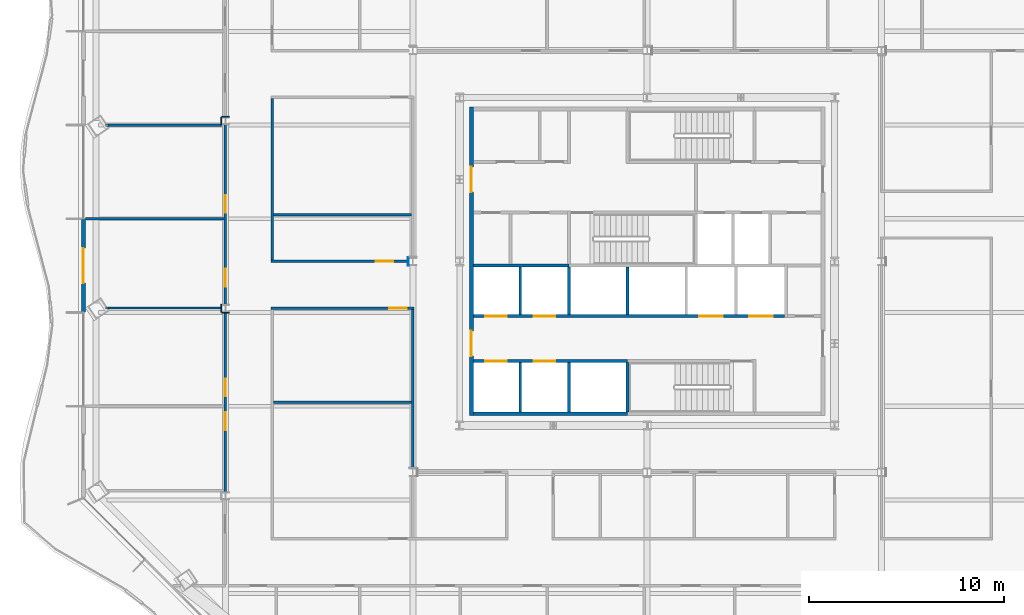
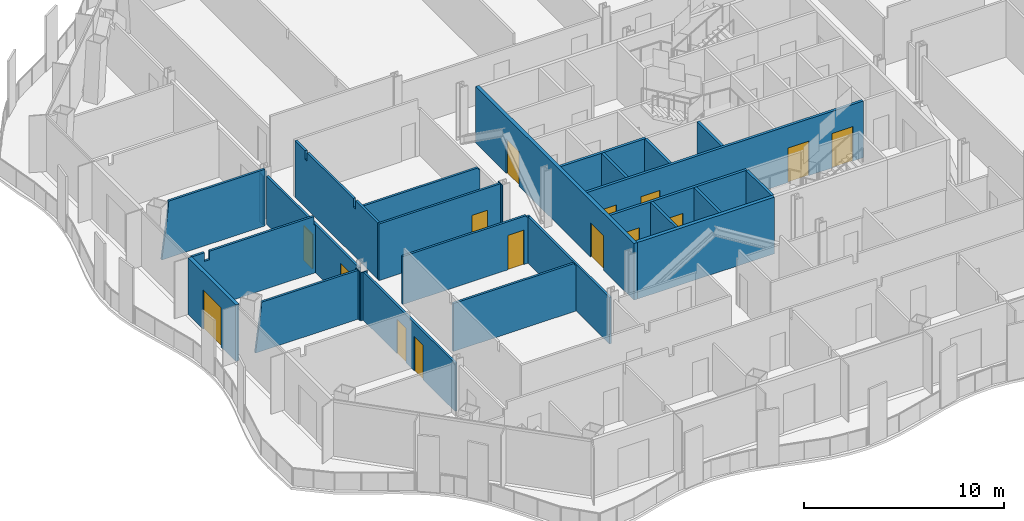
# One storey, part 9 of 22: 28 walls, 15 doors, 15 openings.
"""IFC4 building model written with IfcOpenShell, lengths in metres."""

from ifc_helpers import new_model, si_unit, direction, frame, frame_2d, origin, place, context, subcontext, project, spatial, polyline, rectangle, outline, extrude, material, layer, layer_set, type_object, element, fill, save


model = new_model("IFC4")

# Units and contexts
model_context = context("Model", 3, precision=1e-05, world=origin(), true_north=direction((0.0, 1.0)))
body_context = subcontext(model_context, "Body", "Model", "MODEL_VIEW")
ifc_project = project(units=[si_unit("LENGTHUNIT", "METRE"), si_unit("AREAUNIT", "SQUARE_METRE"), si_unit("VOLUMEUNIT", "CUBIC_METRE"), si_unit("PLANEANGLEUNIT", "RADIAN"), si_unit("MASSUNIT", "GRAM", prefix="KILO")], contexts=[model_context])

# Site, building, storey
site_placement = place(None, origin())
site = spatial("IfcSite", under=ifc_project, at=site_placement, CompositionType="ELEMENT")
building_placement = place(site_placement, origin())
building = spatial("IfcBuilding", under=site, at=building_placement, Name="Cairn Pilgrim Tower", CompositionType="ELEMENT")
storey_placement = place(building_placement, frame((0.0, 0.0, 112.199951171875)))
storey = spatial("IfcBuildingStorey", under=building, at=storey_placement, Name="L27", CompositionType="ELEMENT", Elevation=112.199951171875)

# Wall, opening, door
ifc_material_1 = material(Name="Bronze anodised aluminium insulated sandwich panel with mineral wool fill", Category="aluminium")
ifc_layer_1 = layer(ifc_material_1, 0.199951171875)
ifc_layer_set_1 = layer_set([ifc_layer_1], Name="BRONZE INFILL FRAME WALL 200")
wall_type_1 = type_object("IfcWallType", Name="BRONZE INFILL FRAME WALL 200", PredefinedType="NOTDEFINED", material=ifc_layer_set_1)
wall_1_placement = place(storey_placement, frame((-21.67041015625, 4.556396484375, 0.0), z_axis=(0.0, 0.0, 1.0), x_axis=(0.0, -1.0, 0.0)))
wall_1 = element("IfcWall", 1, at=wall_1_placement, inside=storey, type_object=wall_type_1, Name="Bronze infill frame wall IW-W4", PredefinedType="NOTDEFINED", context=body_context, shape_type="SweptSolid", body=[
    extrude(rectangle(XDim=4.739990234375, YDim=0.199951171875, at=frame_2d((2.3701171875, 0.0))), origin(), (0.0, 0.0, 1.0), 3.449951171875),
])
opening_1_placement = place(wall_1_placement, frame((1.470458984375, 0.0, 0.0)))
opening_1 = element("IfcOpeningElement", 2, at=opening_1_placement, cuts=wall_1, Name="Opening 2712B", PredefinedType="OPENING", context=body_context, shape_type="SweptSolid", body=[
    extrude(rectangle(XDim=1.800048828125, YDim=2.39990234375, at=frame_2d((0.89990234375, 1.199951171875))), frame((0.0, 0.10986328125, 0.0), z_axis=(0.0, -1.0, 0.0), x_axis=(1.0, 0.0, 0.0)), (0.0, 0.0, 1.0), 0.219970703125),
])
ifc_material_2 = material(Name="Bronze anodised aluminium frame with tinted low-E glass", Category="aluminium")
door_type_1 = type_object("IfcDoorType", Name="BALCONY SLIDING DOOR 1800x2400", OperationType="DOUBLE_DOOR_SLIDING", PredefinedType="DOOR", material=ifc_material_2)
door_1_placement = place(opening_1_placement, origin())
door_1 = element("IfcDoor", 3, at=door_1_placement, inside=storey, type_object=door_type_1, Name="Balcony sliding door 2712B", OperationType="SINGLE_SWING_LEFT", OverallHeight=2.39990234375, OverallWidth=1.800048828125, PredefinedType="DOOR", context=body_context, shape_type="SweptSolid", body=[
    extrude(rectangle(XDim=1.800048828125, YDim=2.39990234375, at=frame_2d((0.89990234375, 1.199951171875))), frame((0.0, 0.02490234375, 0.0), z_axis=(0.0, -1.0, 0.0), x_axis=(1.0, 0.0, 0.0)), (0.0, 0.0, 1.0), 0.050048828125),
])
fill(opening_1, door_1)

# Wall
ifc_material_3 = material(Name="Concrete C32/40", Category="concrete")
ifc_layer_2 = layer(ifc_material_3, 0.199951171875)
ifc_layer_set_2 = layer_set([ifc_layer_2], Name="CORE OUTER WALL 200 EI 120")
wall_type_2 = type_object("IfcWallType", Name="CORE OUTER WALL 200 EI 120", PredefinedType="SOLIDWALL", material=ifc_layer_set_2)
wall_2_placement = place(storey_placement, frame((-1.699951171875, -5.39990234375, 0.0), z_axis=(0.0, 0.0, 1.0), x_axis=(1.0, 0.0, 0.0)))
element("IfcWall", 4, at=wall_2_placement, inside=storey, type_object=wall_type_2, Name="CW:L27:H01-1", PredefinedType="SOLIDWALL", context=body_context, shape_type="SweptSolid", body=[
    extrude(rectangle(XDim=7.89990234375, YDim=0.199951171875, at=frame_2d((3.949951171875, 0.0))), origin(), (0.0, 0.0, 1.0), 3.449951171875),
])

# Wall, openings, doors
wall_3_placement = place(storey_placement, frame((-1.800048828125, -5.5, 0.0), z_axis=(0.0, 0.0, 1.0), x_axis=(0.0, 1.0, 0.0)))
wall_3 = element("IfcWall", 5, at=wall_3_placement, inside=storey, type_object=wall_type_2, Name="CW:L27:V12", PredefinedType="SOLIDWALL", context=body_context, shape_type="SweptSolid", body=[
    extrude(rectangle(XDim=15.800048828125, YDim=0.199951171875, at=frame_2d((7.89990234375, 0.0))), origin(), (0.0, 0.0, 1.0), 3.449951171875),
])
opening_2_placement = place(wall_3_placement, frame((3.050048828125, 0.0, 0.0)))
opening_2 = element("IfcOpeningElement", 6, at=opening_2_placement, cuts=wall_3, Name="Opening CD-W1", PredefinedType="OPENING", context=body_context, shape_type="SweptSolid", body=[
    extrude(rectangle(XDim=1.300048828125, YDim=2.10009765625, at=frame_2d((0.64990234375, 1.050048828125))), frame((0.0, 0.10986328125, 0.0), z_axis=(0.0, -1.0, 0.0), x_axis=(1.0, 0.0, 0.0)), (0.0, 0.0, 1.0), 0.219970703125),
])
opening_3_placement = place(wall_3_placement, frame((11.449951171875, 0.0, 0.0)))
opening_3 = element("IfcOpeningElement", 7, at=opening_3_placement, cuts=wall_3, Name="Opening CD-W2", PredefinedType="OPENING", context=body_context, shape_type="SweptSolid", body=[
    extrude(rectangle(XDim=1.300048828125, YDim=2.10009765625, at=frame_2d((0.64990234375, 1.050048828125))), frame((0.0, 0.10986328125, 0.0), z_axis=(0.0, -1.0, 0.0), x_axis=(1.0, 0.0, 0.0)), (0.0, 0.0, 1.0), 0.219970703125),
])
ifc_material_4 = material(Name="Painted steel", Category="steel")
door_type_2 = type_object("IfcDoorType", Name="CORE LOBBY DOOR 1300x2100", OperationType="DOUBLE_DOOR_SINGLE_SWING", PredefinedType="DOOR", material=ifc_material_4)
door_2_placement = place(opening_2_placement, origin())
door_2 = element("IfcDoor", 8, at=door_2_placement, inside=storey, type_object=door_type_2, Name="CD-W1", OperationType="DOUBLE_DOOR_SINGLE_SWING", OverallHeight=2.10009765625, OverallWidth=1.300048828125, PredefinedType="DOOR", context=body_context, shape_type="SweptSolid", body=[
    extrude(rectangle(XDim=1.300048828125, YDim=2.10009765625, at=frame_2d((0.64990234375, 1.050048828125))), frame((0.0, 0.02490234375, 0.0), z_axis=(0.0, -1.0, 0.0), x_axis=(1.0, 0.0, 0.0)), (0.0, 0.0, 1.0), 0.050048828125),
])
fill(opening_2, door_2)
door_3_placement = place(opening_3_placement, origin())
door_3 = element("IfcDoor", 9, at=door_3_placement, inside=storey, type_object=door_type_2, Name="CD-W2", OperationType="DOUBLE_DOOR_SINGLE_SWING", OverallHeight=2.10009765625, OverallWidth=1.300048828125, PredefinedType="DOOR", context=body_context, shape_type="SweptSolid", body=[
    extrude(rectangle(XDim=1.300048828125, YDim=2.10009765625, at=frame_2d((0.64990234375, 1.050048828125))), frame((0.0, 0.02490234375, 0.0), z_axis=(0.0, -1.0, 0.0), x_axis=(1.0, 0.0, 0.0)), (0.0, 0.0, 1.0), 0.050048828125),
])
fill(opening_3, door_3)

ifc_layer_3 = layer(ifc_material_3, 0.14990234375)
ifc_layer_set_3 = layer_set([ifc_layer_3], Name="CORE SHAFT WALL 150 EI 120")
wall_type_3 = type_object("IfcWallType", Name="CORE SHAFT WALL 150 EI 120", PredefinedType="SOLIDWALL", material=ifc_layer_set_3)
wall_4_placement = place(storey_placement, frame((-1.699951171875, -2.699951171875, 0.0), z_axis=(0.0, 0.0, 1.0), x_axis=(1.0, 0.0, 0.0)))
wall_4 = element("IfcWall", 10, at=wall_4_placement, inside=storey, type_object=wall_type_3, Name="CW:L27:H02-1", PredefinedType="SOLIDWALL", context=body_context, shape_type="SweptSolid", body=[
    extrude(rectangle(XDim=7.89990234375, YDim=0.14990234375, at=frame_2d((3.949951171875, 0.0))), origin(), (0.0, 0.0, 1.0), 3.449951171875),
])
opening_4_placement = place(wall_4_placement, frame((0.60009765625, 0.0, 0.0)))
opening_4 = element("IfcOpeningElement", 11, at=opening_4_placement, cuts=wall_4, Name="Opening LD-LR1", PredefinedType="OPENING", context=body_context, shape_type="SweptSolid", body=[
    extrude(rectangle(XDim=1.10009765625, YDim=2.10009765625, at=frame_2d((0.550048828125, 1.050048828125))), frame((0.0, 0.0849609375, 0.0), z_axis=(0.0, -1.0, 0.0), x_axis=(1.0, 0.0, 0.0)), (0.0, 0.0, 1.0), 0.169921875),
])
opening_5_placement = place(wall_4_placement, frame((3.10009765625, 0.0, 0.0)))
opening_5 = element("IfcOpeningElement", 12, at=opening_5_placement, cuts=wall_4, Name="Opening LD-LR2", PredefinedType="OPENING", context=body_context, shape_type="SweptSolid", body=[
    extrude(rectangle(XDim=1.10009765625, YDim=2.10009765625, at=frame_2d((0.550048828125, 1.050048828125))), frame((0.0, 0.0849609375, 0.0), z_axis=(0.0, -1.0, 0.0), x_axis=(1.0, 0.0, 0.0)), (0.0, 0.0, 1.0), 0.169921875),
])
ifc_material_5 = material(Name="Stainless steel", Category="steel")
door_type_3 = type_object("IfcDoorType", Name="LIFT LANDING DOOR 1100x2100", OperationType="DOUBLE_DOOR_SLIDING", PredefinedType="DOOR", material=ifc_material_5)
door_4_placement = place(opening_4_placement, origin())
door_4 = element("IfcDoor", 13, at=door_4_placement, inside=storey, type_object=door_type_3, Name="LANDING DOOR LR1", OperationType="DOUBLE_DOOR_SLIDING", OverallHeight=2.10009765625, OverallWidth=1.10009765625, PredefinedType="DOOR", context=body_context, shape_type="SweptSolid", body=[
    extrude(rectangle(XDim=1.10009765625, YDim=2.10009765625, at=frame_2d((0.550048828125, 1.050048828125))), frame((0.0, 0.02490234375, 0.0), z_axis=(0.0, -1.0, 0.0), x_axis=(1.0, 0.0, 0.0)), (0.0, 0.0, 1.0), 0.050048828125),
])
fill(opening_4, door_4)
door_5_placement = place(opening_5_placement, origin())
door_5 = element("IfcDoor", 14, at=door_5_placement, inside=storey, type_object=door_type_3, Name="LANDING DOOR LR2", OperationType="DOUBLE_DOOR_SLIDING", OverallHeight=2.10009765625, OverallWidth=1.10009765625, PredefinedType="DOOR", context=body_context, shape_type="SweptSolid", body=[
    extrude(rectangle(XDim=1.10009765625, YDim=2.10009765625, at=frame_2d((0.550048828125, 1.050048828125))), frame((0.0, 0.02490234375, 0.0), z_axis=(0.0, -1.0, 0.0), x_axis=(1.0, 0.0, 0.0)), (0.0, 0.0, 1.0), 0.050048828125),
])
fill(opening_5, door_5)

wall_5_placement = place(storey_placement, frame((-1.699951171875, -0.39990234375, 0.0), z_axis=(0.0, 0.0, 1.0), x_axis=(1.0, 0.0, 0.0)))
wall_5 = element("IfcWall", 15, at=wall_5_placement, inside=storey, type_object=wall_type_3, Name="CW:L27:H03", PredefinedType="SOLIDWALL", context=body_context, shape_type="SweptSolid", body=[
    extrude(rectangle(XDim=15.925048828125, YDim=0.14990234375, at=frame_2d((7.96240234375, 0.0))), origin(), (0.0, 0.0, 1.0), 3.449951171875),
])
opening_6_placement = place(wall_5_placement, frame((0.60009765625, 0.0, 0.0)))
opening_6 = element("IfcOpeningElement", 16, at=opening_6_placement, cuts=wall_5, Name="Opening LD-LR3", PredefinedType="OPENING", context=body_context, shape_type="SweptSolid", body=[
    extrude(rectangle(XDim=1.10009765625, YDim=2.10009765625, at=frame_2d((0.550048828125, 1.050048828125))), frame((0.0, 0.0849609375, 0.0), z_axis=(0.0, -1.0, 0.0), x_axis=(1.0, 0.0, 0.0)), (0.0, 0.0, 1.0), 0.169921875),
])
opening_7_placement = place(wall_5_placement, frame((3.10009765625, 0.0, 0.0)))
opening_7 = element("IfcOpeningElement", 17, at=opening_7_placement, cuts=wall_5, Name="Opening LD-LR4", PredefinedType="OPENING", context=body_context, shape_type="SweptSolid", body=[
    extrude(rectangle(XDim=1.10009765625, YDim=2.10009765625, at=frame_2d((0.550048828125, 1.050048828125))), frame((0.0, 0.0849609375, 0.0), z_axis=(0.0, -1.0, 0.0), x_axis=(1.0, 0.0, 0.0)), (0.0, 0.0, 1.0), 0.169921875),
])
opening_8_placement = place(wall_5_placement, frame((11.574951171875, 0.0, 0.0)))
opening_8 = element("IfcOpeningElement", 18, at=opening_8_placement, cuts=wall_5, Name="Opening LD-SV1", PredefinedType="OPENING", context=body_context, shape_type="SweptSolid", body=[
    extrude(rectangle(XDim=1.199951171875, YDim=2.10009765625, at=frame_2d((0.60009765625, 1.050048828125))), frame((0.0, 0.0849609375, 0.0), z_axis=(0.0, -1.0, 0.0), x_axis=(1.0, 0.0, 0.0)), (0.0, 0.0, 1.0), 0.169921875),
])
opening_9_placement = place(wall_5_placement, frame((14.125, 0.0, 0.0)))
opening_9 = element("IfcOpeningElement", 19, at=opening_9_placement, cuts=wall_5, Name="Opening LD-SV2", PredefinedType="OPENING", context=body_context, shape_type="SweptSolid", body=[
    extrude(rectangle(XDim=1.199951171875, YDim=2.10009765625, at=frame_2d((0.60009765625, 1.050048828125))), frame((0.0, 0.0849609375, 0.0), z_axis=(0.0, -1.0, 0.0), x_axis=(1.0, 0.0, 0.0)), (0.0, 0.0, 1.0), 0.169921875),
])
door_6_placement = place(opening_6_placement, origin())
door_6 = element("IfcDoor", 20, at=door_6_placement, inside=storey, type_object=door_type_3, Name="LANDING DOOR LR3", OperationType="DOUBLE_DOOR_SLIDING", OverallHeight=2.10009765625, OverallWidth=1.10009765625, PredefinedType="DOOR", context=body_context, shape_type="SweptSolid", body=[
    extrude(rectangle(XDim=1.10009765625, YDim=2.10009765625, at=frame_2d((0.550048828125, 1.050048828125))), frame((0.0, 0.02490234375, 0.0), z_axis=(0.0, -1.0, 0.0), x_axis=(1.0, 0.0, 0.0)), (0.0, 0.0, 1.0), 0.050048828125),
])
fill(opening_6, door_6)
door_7_placement = place(opening_7_placement, origin())
door_7 = element("IfcDoor", 21, at=door_7_placement, inside=storey, type_object=door_type_3, Name="LANDING DOOR LR4", OperationType="DOUBLE_DOOR_SLIDING", OverallHeight=2.10009765625, OverallWidth=1.10009765625, PredefinedType="DOOR", context=body_context, shape_type="SweptSolid", body=[
    extrude(rectangle(XDim=1.10009765625, YDim=2.10009765625, at=frame_2d((0.550048828125, 1.050048828125))), frame((0.0, 0.02490234375, 0.0), z_axis=(0.0, -1.0, 0.0), x_axis=(1.0, 0.0, 0.0)), (0.0, 0.0, 1.0), 0.050048828125),
])
fill(opening_7, door_7)
door_type_4 = type_object("IfcDoorType", Name="LIFT LANDING DOOR 1200x2100", OperationType="DOUBLE_DOOR_SLIDING", PredefinedType="DOOR", material=ifc_material_5)
door_8_placement = place(opening_8_placement, origin())
door_8 = element("IfcDoor", 22, at=door_8_placement, inside=storey, type_object=door_type_4, Name="LANDING DOOR SV1", OperationType="DOUBLE_DOOR_SLIDING", OverallHeight=2.10009765625, OverallWidth=1.199951171875, PredefinedType="DOOR", context=body_context, shape_type="SweptSolid", body=[
    extrude(rectangle(XDim=1.199951171875, YDim=2.10009765625, at=frame_2d((0.60009765625, 1.050048828125))), frame((0.0, 0.02490234375, 0.0), z_axis=(0.0, -1.0, 0.0), x_axis=(1.0, 0.0, 0.0)), (0.0, 0.0, 1.0), 0.050048828125),
])
fill(opening_8, door_8)
door_9_placement = place(opening_9_placement, origin())
door_9 = element("IfcDoor", 23, at=door_9_placement, inside=storey, type_object=door_type_4, Name="LANDING DOOR SV2", OperationType="DOUBLE_DOOR_SLIDING", OverallHeight=2.10009765625, OverallWidth=1.199951171875, PredefinedType="DOOR", context=body_context, shape_type="SweptSolid", body=[
    extrude(rectangle(XDim=1.199951171875, YDim=2.10009765625, at=frame_2d((0.60009765625, 1.050048828125))), frame((0.0, 0.02490234375, 0.0), z_axis=(0.0, -1.0, 0.0), x_axis=(1.0, 0.0, 0.0)), (0.0, 0.0, 1.0), 0.050048828125),
])
fill(opening_9, door_9)

# Walls
wall_6_placement = place(storey_placement, frame((-1.699951171875, 2.199951171875, 0.0), z_axis=(0.0, 0.0, 1.0), x_axis=(1.0, 0.0, 0.0)))
element("IfcWall", 24, at=wall_6_placement, inside=storey, type_object=wall_type_3, Name="CW:L27:H05-1", PredefinedType="SOLIDWALL", context=body_context, shape_type="SweptSolid", body=[
    extrude(rectangle(XDim=4.89990234375, YDim=0.14990234375, at=frame_2d((2.449951171875, 0.0))), origin(), (0.0, 0.0, 1.0), 3.449951171875),
])
wall_7_placement = place(storey_placement, frame((0.699951171875, -5.300048828125, 0.0), z_axis=(0.0, 0.0, 1.0), x_axis=(0.0, 1.0, 0.0)))
element("IfcWall", 25, at=wall_7_placement, inside=storey, type_object=wall_type_3, Name="CW:L27:V14", PredefinedType="SOLIDWALL", context=body_context, shape_type="SweptSolid", body=[
    extrude(rectangle(XDim=2.525146484375, YDim=0.14990234375, at=frame_2d((1.2626953125, 0.0))), origin(), (0.0, 0.0, 1.0), 3.449951171875),
])
wall_8_placement = place(storey_placement, frame((0.699951171875, -0.324951171875, 0.0), z_axis=(0.0, 0.0, 1.0), x_axis=(0.0, 1.0, 0.0)))
element("IfcWall", 26, at=wall_8_placement, inside=storey, type_object=wall_type_3, Name="CW:L27:V15", PredefinedType="SOLIDWALL", context=body_context, shape_type="SweptSolid", body=[
    extrude(rectangle(XDim=2.449951171875, YDim=0.14990234375, at=frame_2d((1.22509765625, 0.0))), origin(), (0.0, 0.0, 1.0), 3.449951171875),
])
wall_9_placement = place(storey_placement, frame((3.199951171875, -5.300048828125, 0.0), z_axis=(0.0, 0.0, 1.0), x_axis=(0.0, 1.0, 0.0)))
element("IfcWall", 27, at=wall_9_placement, inside=storey, type_object=wall_type_3, Name="CW:L27:V17", PredefinedType="SOLIDWALL", context=body_context, shape_type="SweptSolid", body=[
    extrude(rectangle(XDim=2.525146484375, YDim=0.14990234375, at=frame_2d((1.2626953125, 0.0))), origin(), (0.0, 0.0, 1.0), 3.449951171875),
])
for number, where, z_axis, x_axis, name in (
    (28, (3.199951171875, -0.324951171875, 0.0), (0.0, 0.0, 1.0), (0.0, 1.0, 0.0), "CW:L27:V18"),
    (29, (6.199951171875, -0.324951171875, 0.0), (0.0, 0.0, 1.0), (0.0, 1.0, 0.0), "CW:L27:V22"),
):
    element("IfcWall", number, at=place(storey_placement, frame(where, z_axis=z_axis, x_axis=x_axis)), inside=storey, type_object=wall_type_3, Name=name, PredefinedType="SOLIDWALL", context=body_context, shape_type="SweptSolid", body=[
        extrude(rectangle(XDim=2.449951171875, YDim=0.14990234375, at=frame_2d((1.22509765625, 0.0))), origin(), (0.0, 0.0, 1.0), 3.449951171875),
    ])

# Wall, openings, doors
ifc_material_6 = material(Name="Gypsum partition")
ifc_layer_4 = layer(ifc_material_6, 0.125)
ifc_layer_set_4 = layer_set([ifc_layer_4], Name="PARTITION 125 DRYWALL EI 60")
wall_type_4 = type_object("IfcWallType", Name="PARTITION 125 DRYWALL EI 60", PredefinedType="PARTITIONING", material=ifc_layer_set_4)
wall_10_placement = place(storey_placement, frame((-14.39990234375, -9.403564453125, 0.0), z_axis=(0.0, 0.0, 1.0), x_axis=(0.0, 1.0, 0.0)))
wall_10 = element("IfcWall", 30, at=wall_10_placement, inside=storey, type_object=wall_type_4, Name="PARTITION W032", PredefinedType="PARTITIONING", context=body_context, shape_type="SweptSolid", body=[
    extrude(rectangle(XDim=9.20703125, YDim=0.125, at=frame_2d((4.603515625, 0.0))), origin(), (0.0, 0.0, 1.0), 2.929931640625),
])
opening_10_placement = place(wall_10_placement, frame((3.16943359375, 0.0, 0.0)))
opening_10 = element("IfcOpeningElement", 31, at=opening_10_placement, cuts=wall_10, Name="Opening 2710", PredefinedType="OPENING", context=body_context, shape_type="SweptSolid", body=[
    extrude(rectangle(XDim=0.89990234375, YDim=2.10009765625, at=frame_2d((0.449951171875, 1.050048828125))), frame((0.0, 0.072509765625, 0.0), z_axis=(0.0, -1.0, 0.0), x_axis=(1.0, 0.0, 0.0)), (0.0, 0.0, 1.0), 0.14501953125),
])
opening_11_placement = place(wall_10_placement, frame((4.889404296875, 0.0, 0.0)))
opening_11 = element("IfcOpeningElement", 32, at=opening_11_placement, cuts=wall_10, Name="Opening 2711", PredefinedType="OPENING", context=body_context, shape_type="SweptSolid", body=[
    extrude(rectangle(XDim=0.89990234375, YDim=2.10009765625, at=frame_2d((0.449951171875, 1.050048828125))), frame((0.0, 0.072509765625, 0.0), z_axis=(0.0, -1.0, 0.0), x_axis=(1.0, 0.0, 0.0)), (0.0, 0.0, 1.0), 0.14501953125),
])
ifc_material_7 = material(Name="Steel-faced fire door leaf", Category="steel")
door_type_5 = type_object("IfcDoorType", Name="FIRE DOOR 900x2100 FD30S", OperationType="NOTDEFINED", PredefinedType="DOOR", material=ifc_material_7)
door_10_placement = place(opening_10_placement, origin())
door_10 = element("IfcDoor", 33, at=door_10_placement, inside=storey, type_object=door_type_5, Name="DOOR 2710", OperationType="SINGLE_SWING_LEFT", OverallHeight=2.10009765625, OverallWidth=0.89990234375, PredefinedType="DOOR", context=body_context, shape_type="SweptSolid", body=[
    extrude(rectangle(XDim=0.89990234375, YDim=2.10009765625, at=frame_2d((0.449951171875, 1.050048828125))), frame((0.0, 0.02490234375, 0.0), z_axis=(0.0, -1.0, 0.0), x_axis=(1.0, 0.0, 0.0)), (0.0, 0.0, 1.0), 0.050048828125),
])
fill(opening_10, door_10)
door_11_placement = place(opening_11_placement, origin())
door_11 = element("IfcDoor", 34, at=door_11_placement, inside=storey, type_object=door_type_5, Name="DOOR 2711", OperationType="SINGLE_SWING_RIGHT", OverallHeight=2.10009765625, OverallWidth=0.89990234375, PredefinedType="DOOR", context=body_context, shape_type="SweptSolid", body=[
    extrude(rectangle(XDim=0.89990234375, YDim=2.10009765625, at=frame_2d((0.449951171875, 1.050048828125))), frame((0.0, 0.02490234375, 0.0), z_axis=(0.0, -1.0, 0.0), x_axis=(1.0, 0.0, 0.0)), (0.0, 0.0, 1.0), 0.050048828125),
])
fill(opening_11, door_11)

# Walls
wall_11_placement = place(storey_placement, frame((-4.800048828125, -8.1875, 0.0), z_axis=(0.0, 0.0, 1.0), x_axis=(0.0, 1.0, 0.0)))
element("IfcWall", 35, at=wall_11_placement, inside=storey, type_object=wall_type_4, Name="PARTITION W037", PredefinedType="PARTITIONING", context=body_context, shape_type="SweptSolid", body=[
    extrude(rectangle(XDim=8.125, YDim=0.125, at=frame_2d((4.0625, 0.0))), origin(), (0.0, 0.0, 1.0), 2.830078125),
])
wall_12_placement = place(storey_placement, frame((-11.9375, -4.800048828125, 0.0), z_axis=(0.0, 0.0, 1.0), x_axis=(1.0, 0.0, 0.0)))
element("IfcWall", 36, at=wall_12_placement, inside=storey, type_object=wall_type_4, Name="PARTITION W040", PredefinedType="PARTITIONING", context=body_context, shape_type="SweptSolid", body=[
    extrude(outline(polyline([(0.0, 0.0), (7.074951171875, 0.0), (7.074951171875, 2.830078125), (6.987548828125, 2.830078125), (6.985595703125, 2.929931640625), (0.0, 2.929931640625), (0.0, 0.0)])), frame((0.0, 0.0625, 0.0), z_axis=(0.0, -1.0, 0.0), x_axis=(1.0, 0.0, 0.0)), (0.0, 0.0, 1.0), 0.125),
])
wall_13_placement = place(storey_placement, frame((-20.547119140625, 0.01708984375, 0.0), z_axis=(0.0, 0.0, 1.0), x_axis=(1.0, 0.0, 0.0)))
element("IfcWall", 37, at=wall_13_placement, inside=storey, type_object=wall_type_4, Name="PARTITION W042", PredefinedType="PARTITIONING", context=body_context, shape_type="SweptSolid", body=[
    extrude(outline(polyline([(0.0, 0.0), (5.947509765625, 0.0), (5.947509765625, 0.862548828125), (5.947509765625, 1.72509765625), (5.947509765625, 2.587646484375), (5.947509765625, 2.97998046875), (0.36181640625, 2.97998046875), (0.326904296875, 2.587646484375), (0.2216796875, 1.72509765625), (0.11083984375, 0.862548828125), (0.0, 0.0)])), frame((0.0, 0.0625, 0.0), z_axis=(0.0, -1.0, 0.0), x_axis=(1.0, 0.0, 0.0)), (0.0, 0.0, 1.0), 0.125),
])

# Wall, opening, door
wall_14_placement = place(storey_placement, frame((-12.0625, 0.0, 0.0), z_axis=(0.0, 0.0, 1.0), x_axis=(1.0, 0.0, 0.0)))
wall_14 = element("IfcWall", 38, at=wall_14_placement, inside=storey, type_object=wall_type_4, Name="PARTITION W043", PredefinedType="PARTITIONING", context=body_context, shape_type="SweptSolid", body=[
    extrude(outline(polyline([(0.0, 0.0), (7.324951171875, 0.0), (7.324951171875, 2.830078125), (7.112548828125, 2.830078125), (7.110595703125, 2.929931640625), (0.0, 2.929931640625), (0.0, 0.0)])), frame((0.0, 0.0625, 0.0), z_axis=(0.0, -1.0, 0.0), x_axis=(1.0, 0.0, 0.0)), (0.0, 0.0, 1.0), 0.125),
])
opening_12_placement = place(wall_14_placement, frame((6.0625, 0.0, 0.0)))
opening_12 = element("IfcOpeningElement", 39, at=opening_12_placement, cuts=wall_14, Name="Opening 2731", PredefinedType="OPENING", context=body_context, shape_type="SweptSolid", body=[
    extrude(rectangle(XDim=0.89990234375, YDim=2.10009765625, at=frame_2d((0.449951171875, 1.050048828125))), frame((0.0, 0.072509765625, 0.0), z_axis=(0.0, -1.0, 0.0), x_axis=(1.0, 0.0, 0.0)), (0.0, 0.0, 1.0), 0.14501953125),
])
door_12_placement = place(opening_12_placement, frame((0.89990234375, 0.0, 0.0), z_axis=(0.0, 0.0, 1.0), x_axis=(-1.0, 0.0, 0.0)))
door_12 = element("IfcDoor", 40, at=door_12_placement, inside=storey, type_object=door_type_5, Name="DOOR 2731", OperationType="SINGLE_SWING_RIGHT", OverallHeight=2.10009765625, OverallWidth=0.89990234375, PredefinedType="DOOR", context=body_context, shape_type="SweptSolid", body=[
    extrude(rectangle(XDim=0.89990234375, YDim=2.10009765625, at=frame_2d((0.449951171875, 1.050048828125))), frame((0.0, 0.02490234375, 0.0), z_axis=(0.0, -1.0, 0.0), x_axis=(1.0, 0.0, 0.0)), (0.0, 0.0, 1.0), 0.050048828125),
])
fill(opening_12, door_12)

# Wall, openings, doors
wall_15_placement = place(storey_placement, frame((-14.39990234375, 0.196533203125, 0.0), z_axis=(0.0, 0.0, 1.0), x_axis=(0.0, 1.0, 0.0)))
wall_15 = element("IfcWall", 41, at=wall_15_placement, inside=storey, type_object=wall_type_4, Name="PARTITION W044", PredefinedType="PARTITIONING", context=body_context, shape_type="SweptSolid", body=[
    extrude(rectangle(XDim=9.20703125, YDim=0.125, at=frame_2d((4.603515625, 0.0))), origin(), (0.0, 0.0, 1.0), 2.929931640625),
])
opening_13_placement = place(wall_15_placement, frame((0.92041015625, 0.0, 0.0)))
opening_13 = element("IfcOpeningElement", 42, at=opening_13_placement, cuts=wall_15, Name="Opening 2712", PredefinedType="OPENING", context=body_context, shape_type="SweptSolid", body=[
    extrude(rectangle(XDim=0.89990234375, YDim=2.10009765625, at=frame_2d((0.449951171875, 1.050048828125))), frame((0.0, 0.072509765625, 0.0), z_axis=(0.0, -1.0, 0.0), x_axis=(1.0, 0.0, 0.0)), (0.0, 0.0, 1.0), 0.14501953125),
])
opening_14_placement = place(wall_15_placement, frame((4.689453125, 0.0, 0.0)))
opening_14 = element("IfcOpeningElement", 43, at=opening_14_placement, cuts=wall_15, Name="Opening 2713", PredefinedType="OPENING", context=body_context, shape_type="SweptSolid", body=[
    extrude(rectangle(XDim=0.89990234375, YDim=2.10009765625, at=frame_2d((0.449951171875, 1.050048828125))), frame((0.0, 0.072509765625, 0.0), z_axis=(0.0, -1.0, 0.0), x_axis=(1.0, 0.0, 0.0)), (0.0, 0.0, 1.0), 0.14501953125),
])
door_13_placement = place(opening_13_placement, origin())
door_13 = element("IfcDoor", 44, at=door_13_placement, inside=storey, type_object=door_type_5, Name="DOOR 2712", OperationType="SINGLE_SWING_LEFT", OverallHeight=2.10009765625, OverallWidth=0.89990234375, PredefinedType="DOOR", context=body_context, shape_type="SweptSolid", body=[
    extrude(rectangle(XDim=0.89990234375, YDim=2.10009765625, at=frame_2d((0.449951171875, 1.050048828125))), frame((0.0, 0.02490234375, 0.0), z_axis=(0.0, -1.0, 0.0), x_axis=(1.0, 0.0, 0.0)), (0.0, 0.0, 1.0), 0.050048828125),
])
fill(opening_13, door_13)
door_14_placement = place(opening_14_placement, origin())
door_14 = element("IfcDoor", 45, at=door_14_placement, inside=storey, type_object=door_type_5, Name="DOOR 2713", OperationType="SINGLE_SWING_RIGHT", OverallHeight=2.10009765625, OverallWidth=0.89990234375, PredefinedType="DOOR", context=body_context, shape_type="SweptSolid", body=[
    extrude(rectangle(XDim=0.89990234375, YDim=2.10009765625, at=frame_2d((0.449951171875, 1.050048828125))), frame((0.0, 0.02490234375, 0.0), z_axis=(0.0, -1.0, 0.0), x_axis=(1.0, 0.0, 0.0)), (0.0, 0.0, 1.0), 0.050048828125),
])
fill(opening_14, door_14)

# Wall, opening, door
wall_16_placement = place(storey_placement, frame((-12.0625, 2.39990234375, 0.0), z_axis=(0.0, 0.0, 1.0), x_axis=(1.0, 0.0, 0.0)))
wall_16 = element("IfcWall", 46, at=wall_16_placement, inside=storey, type_object=wall_type_4, Name="PARTITION W045", PredefinedType="PARTITIONING", context=body_context, shape_type="SweptSolid", body=[
    extrude(rectangle(XDim=7.05810546875, YDim=0.125, at=frame_2d((3.529052734375, 0.0))), origin(), (0.0, 0.0, 1.0), 3.449951171875),
])
opening_15_placement = place(wall_16_placement, frame((5.362548828125, 0.0, 0.0)))
opening_15 = element("IfcOpeningElement", 47, at=opening_15_placement, cuts=wall_16, Name="Opening 2732", PredefinedType="OPENING", context=body_context, shape_type="SweptSolid", body=[
    extrude(rectangle(XDim=0.89990234375, YDim=2.10009765625, at=frame_2d((0.449951171875, 1.050048828125))), frame((0.0, 0.072509765625, 0.0), z_axis=(0.0, -1.0, 0.0), x_axis=(1.0, 0.0, 0.0)), (0.0, 0.0, 1.0), 0.14501953125),
])
door_15_placement = place(opening_15_placement, origin())
door_15 = element("IfcDoor", 48, at=door_15_placement, inside=storey, type_object=door_type_5, Name="DOOR 2732", OperationType="SINGLE_SWING_LEFT", OverallHeight=2.10009765625, OverallWidth=0.89990234375, PredefinedType="DOOR", context=body_context, shape_type="SweptSolid", body=[
    extrude(rectangle(XDim=0.89990234375, YDim=2.10009765625, at=frame_2d((0.449951171875, 1.050048828125))), frame((0.0, 0.02490234375, 0.0), z_axis=(0.0, -1.0, 0.0), x_axis=(1.0, 0.0, 0.0)), (0.0, 0.0, 1.0), 0.050048828125),
])
fill(opening_15, door_15)

# Walls
wall_17_placement = place(storey_placement, frame((-12.0, 2.46240234375, 0.0), z_axis=(0.0, 0.0, 1.0), x_axis=(0.0, 1.0, 0.0)))
element("IfcWall", 49, at=wall_17_placement, inside=storey, type_object=wall_type_4, Name="PARTITION W046", PredefinedType="PARTITIONING", context=body_context, shape_type="SweptSolid", body=[
    extrude(outline(polyline([(0.0, 0.0), (8.275146484375, 0.0), (8.27490234375, 3.449951171875), (7.237548828125, 3.449951171875), (7.235595703125, 2.929931640625), (7.03759765625, 2.929931640625), (7.035400390625, 3.449951171875), (2.4375, 3.449951171875), (2.435546875, 2.929931640625), (2.237548828125, 2.929931640625), (2.235595703125, 3.449951171875), (0.0, 3.449951171875), (0.0, 0.0)])), frame((0.0, 0.0625, 0.0), z_axis=(0.0, -1.0, 0.0), x_axis=(1.0, 0.0, 0.0)), (0.0, 0.0, 1.0), 0.125),
])
wall_18_placement = place(storey_placement, frame((-21.570556640625, 4.5859375, 0.0), z_axis=(0.0, 0.0, 1.0), x_axis=(1.0, 0.0, 0.0)))
element("IfcWall", 50, at=wall_18_placement, inside=storey, type_object=wall_type_4, Name="PARTITION W050", PredefinedType="PARTITIONING", context=body_context, shape_type="SweptSolid", body=[
    extrude(outline(polyline([(0.0, 0.0), (7.108154296875, 0.0), (7.10791015625, 2.929931640625), (7.0205078125, 2.929931640625), (7.0185546875, 3.449951171875), (1.0205078125, 3.449951171875), (1.0185546875, 2.929931640625), (0.720458984375, 2.929931640625), (0.718505859375, 3.449951171875), (0.0, 3.449951171875), (0.0, 0.0)])), frame((0.0, 0.0625, 0.0), z_axis=(0.0, -1.0, 0.0), x_axis=(1.0, 0.0, 0.0)), (0.0, 0.0, 1.0), 0.125),
])
wall_19_placement = place(storey_placement, frame((-11.9375, 4.800048828125, 0.0), z_axis=(0.0, 0.0, 1.0), x_axis=(1.0, 0.0, 0.0)))
element("IfcWall", 51, at=wall_19_placement, inside=storey, type_object=wall_type_4, Name="PARTITION W052", PredefinedType="PARTITIONING", context=body_context, shape_type="SweptSolid", body=[
    extrude(outline(polyline([(0.0, 0.0), (7.074951171875, 0.0), (7.074951171875, 2.830078125), (6.987548828125, 2.830078125), (6.985595703125, 2.929931640625), (0.0, 2.929931640625), (0.0, 0.0)])), frame((0.0, 0.0625, 0.0), z_axis=(0.0, -1.0, 0.0), x_axis=(1.0, 0.0, 0.0)), (0.0, 0.0, 1.0), 0.125),
])
wall_20_placement = place(storey_placement, frame((-20.54736328125, 9.368896484375, 0.0), z_axis=(0.0, 0.0, 1.0), x_axis=(1.0, 0.0, 0.0)))
element("IfcWall", 52, at=wall_20_placement, inside=storey, type_object=wall_type_4, Name="PARTITION W056", PredefinedType="PARTITIONING", context=body_context, shape_type="SweptSolid", body=[
    extrude(outline(polyline([(0.0, 0.0), (5.947998046875, 0.0), (5.947998046875, 0.862548828125), (5.947998046875, 1.72509765625), (5.947998046875, 2.587646484375), (5.947998046875, 3.449951171875), (0.404052734375, 3.449951171875), (0.3271484375, 2.587646484375), (0.2216796875, 1.72509765625), (0.11083984375, 0.862548828125), (0.0, 0.0)])), frame((0.0, 0.0625, 0.0), z_axis=(0.0, -1.0, 0.0), x_axis=(1.0, 0.0, 0.0)), (0.0, 0.0, 1.0), 0.125),
])
ifc_layer_5 = layer(ifc_material_6, 0.050048828125)
ifc_layer_set_5 = layer_set([ifc_layer_5], Name="PARTITION 50 DRYWALL EI 60")
wall_type_5 = type_object("IfcWallType", Name="PARTITION 50 DRYWALL EI 60", PredefinedType="PARTITIONING", material=ifc_layer_set_5)
wall_21_placement = place(storey_placement, frame((-14.62451171875, -0.196533203125, 0.0), z_axis=(0.0, 0.0, 1.0), x_axis=(0.0, 1.0, 0.0)))
element("IfcWall", 53, at=wall_21_placement, inside=storey, type_object=wall_type_5, Name="COLUMN CASING WC02", PredefinedType="PARTITIONING", context=body_context, shape_type="SweptSolid", body=[
    extrude(rectangle(XDim=0.39306640625, YDim=0.050048828125, at=frame_2d((0.196533203125, 0.0))), origin(), (0.0, 0.0, 1.0), 2.97998046875),
])
wall_22_placement = place(storey_placement, frame((-14.62451171875, 9.403564453125, 0.0), z_axis=(0.0, 0.0, 1.0), x_axis=(0.0, 1.0, 0.0)))
element("IfcWall", 54, at=wall_22_placement, inside=storey, type_object=wall_type_5, Name="COLUMN CASING WC03", PredefinedType="PARTITIONING", context=body_context, shape_type="SweptSolid", body=[
    extrude(rectangle(XDim=0.392822265625, YDim=0.050048828125, at=frame_2d((0.1962890625, 0.0))), origin(), (0.0, 0.0, 1.0), 2.97998046875),
])
wall_23_placement = place(storey_placement, frame((-14.599609375, -0.221435546875, 0.0), z_axis=(0.0, 0.0, 1.0), x_axis=(1.0, 0.0, 0.0)))
element("IfcWall", 55, at=wall_23_placement, inside=storey, type_object=wall_type_5, Name="COLUMN CASING WC10", PredefinedType="PARTITIONING", context=body_context, shape_type="SweptSolid", body=[
    extrude(rectangle(XDim=0.399169921875, YDim=0.050048828125, at=frame_2d((0.19970703125, 0.0))), origin(), (0.0, 0.0, 1.0), 2.929931640625),
])
wall_24_placement = place(storey_placement, frame((-5.029541015625, 2.1875, 0.0), z_axis=(0.0, 0.0, 1.0), x_axis=(0.0, 1.0, 0.0)))
element("IfcWall", 56, at=wall_24_placement, inside=storey, type_object=wall_type_5, Name="COLUMN CASING WC12", PredefinedType="PARTITIONING", context=body_context, shape_type="SweptSolid", body=[
    extrude(rectangle(XDim=0.425048828125, YDim=0.050048828125, at=frame_2d((0.21240234375, 0.0))), origin(), (0.0, 0.0, 1.0), 3.449951171875),
])
wall_25_placement = place(storey_placement, frame((-14.599609375, 9.821533203125, 0.0), z_axis=(0.0, 0.0, 1.0), x_axis=(1.0, 0.0, 0.0)))
element("IfcWall", 57, at=wall_25_placement, inside=storey, type_object=wall_type_5, Name="COLUMN CASING WC14", PredefinedType="PARTITIONING", context=body_context, shape_type="SweptSolid", body=[
    extrude(rectangle(XDim=0.399169921875, YDim=0.050048828125, at=frame_2d((0.19970703125, 0.0))), origin(), (0.0, 0.0, 1.0), 2.929931640625),
])
ifc_material_8 = material(Name="Concrete C35/45", Category="concrete")
ifc_layer_6 = layer(ifc_material_8, 0.14990234375)
ifc_layer_set_6 = layer_set([ifc_layer_6], Name="STAIR SHAFT WALL 150 EI 120")
wall_type_6 = type_object("IfcWallType", Name="STAIR SHAFT WALL 150 EI 120", PredefinedType="SOLIDWALL", material=ifc_layer_set_6)
wall_26_placement = place(storey_placement, frame((6.199951171875, -5.300048828125, 0.0), z_axis=(0.0, 0.0, 1.0), x_axis=(0.0, 1.0, 0.0)))
element("IfcWall", 58, at=wall_26_placement, inside=storey, type_object=wall_type_6, Name="CW:L27:V21", PredefinedType="SOLIDWALL", context=body_context, shape_type="SweptSolid", body=[
    extrude(rectangle(XDim=2.525146484375, YDim=0.14990234375, at=frame_2d((1.2626953125, 0.0))), origin(), (0.0, 0.0, 1.0), 3.449951171875),
])

save(model, "model.ifc")
